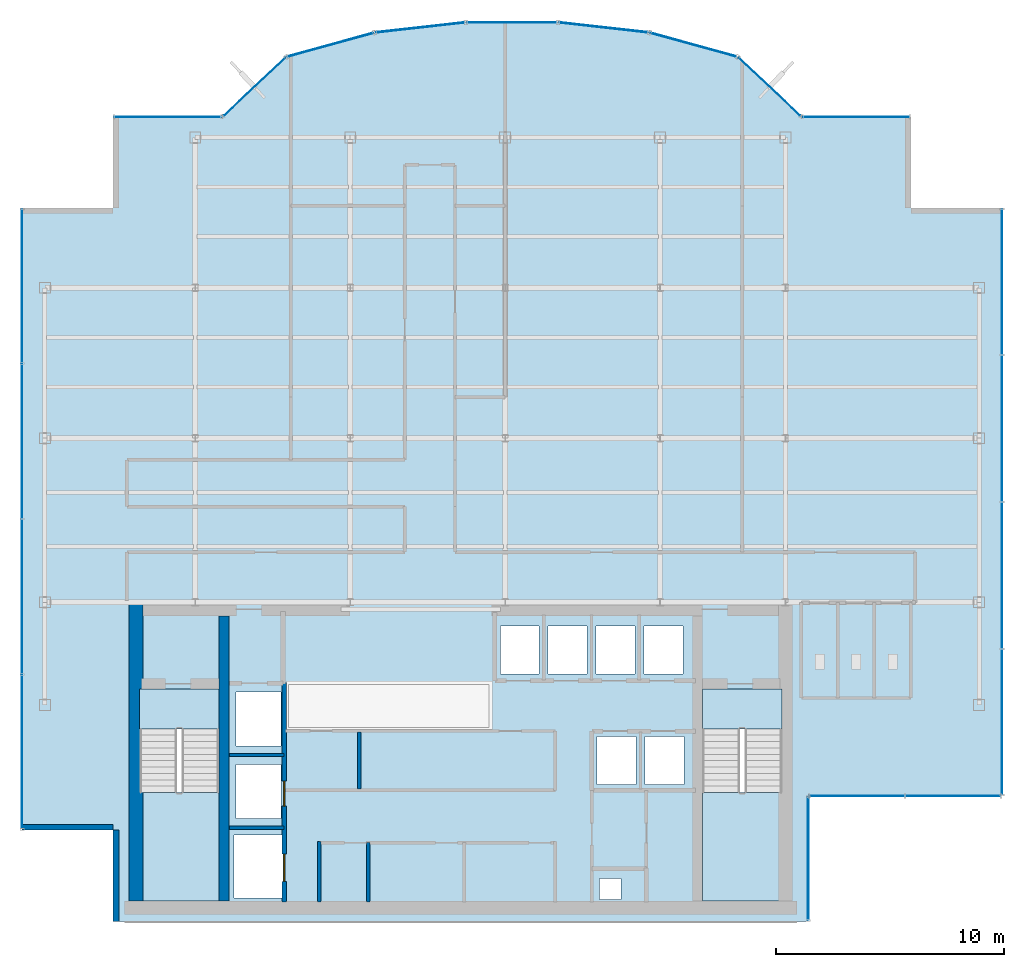
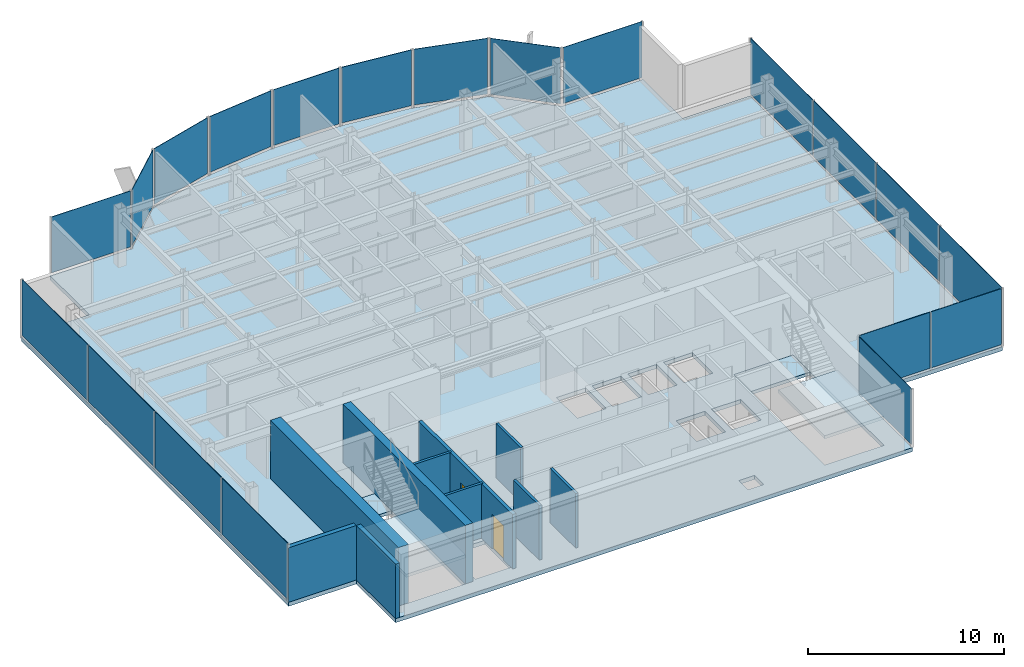
# One storey, part 16 of 22: 20 plates, 10 walls, 5 slabs, 2 doors, 2 openings, 15 elements without a shape of their own.
"""IFC4 building model written with IfcOpenShell, lengths in metres."""

from ifc_helpers import new_model, si_unit, derived_unit, direction, frame, frame_2d, origin, origin_2d, place, context, subcontext, project, spatial, polyline, rectangle, outline, extrude, source, transform, mapped, material, layer, layer_set, type_object, element, fill, aggregate, save


model = new_model("IFC4")

# Units and contexts
model_context = context("Model", 3, precision=1e-05, world=origin(), true_north=direction((0.0, 1.0)))
body_context = subcontext(model_context, "Body", "Model", "MODEL_VIEW")
ifc_project = project(units=[si_unit("LENGTHUNIT", "METRE"), si_unit("AREAUNIT", "SQUARE_METRE"), si_unit("VOLUMEUNIT", "CUBIC_METRE"), si_unit("PLANEANGLEUNIT", "RADIAN"), si_unit("MASSUNIT", "GRAM", prefix="KILO"), derived_unit("THERMALTRANSMITTANCEUNIT", [(si_unit("POWERUNIT", "WATT"), 1), (si_unit("LENGTHUNIT", "METRE"), -2), (si_unit("THERMODYNAMICTEMPERATUREUNIT", "KELVIN"), -1)])], contexts=[model_context])

# Site, building, storey
site_placement = place(None, origin())
site = spatial("IfcSite", under=ifc_project, at=site_placement, CompositionType="ELEMENT")
building_placement = place(site_placement, origin())
building = spatial("IfcBuilding", under=site, at=building_placement, Name="Skarnbrae Concourse Arena and Tower", CompositionType="ELEMENT")
storey_placement = place(building_placement, frame((0.0, 0.0, 206.85009765625)))
storey = spatial("IfcBuildingStorey", under=building, at=storey_placement, Name="L53", CompositionType="ELEMENT", Elevation=206.85009765625)

# Stair, slab
ifc_material_1 = material(Name="Concrete 40 MPa (C40/50)", Category="concrete")
stair_type = type_object("IfcStairType", Name="STAIR-DOGLEG-1650", PredefinedType="HALF_TURN_STAIR", material=ifc_material_1)
stair_1_placement = place(storey_placement, origin())
stair_1 = element("IfcStair", 1, at=stair_1_placement, inside=storey, type_object=stair_type, Name="L53 Protected Exit Stair ST-1", PredefinedType="HALF_TURN_STAIR")
ifc_layer_1 = layer(ifc_material_1, 0.199951171875)
ifc_layer_set_1 = layer_set([ifc_layer_1], Name="Concrete 40 MPa (C40/50)")
slab_type_1 = type_object("IfcSlabType", Name="SLAB-LANDING-200", PredefinedType="LANDING", material=ifc_layer_set_1)
slab_1_placement = place(storey_placement, frame((0.0, 0.0, 1.625)))
slab_1 = element("IfcSlab", 2, at=slab_1_placement, type_object=slab_type_1, Name="ST-1 landing 1", PredefinedType="LANDING", context=body_context, shape_type="SweptSolid", body=[
    extrude(outline(polyline([(5.14990234375, 5.64990234375), (5.14990234375, 0.89990234375), (8.64990234375, 0.89990234375), (8.64990234375, 5.64990234375), (5.14990234375, 5.64990234375)])), origin(), (0.0, 0.0, 1.0), 0.199951171875),
])
aggregate(stair_1, [slab_1])

stair_2_placement = place(storey_placement, origin())
stair_2 = element("IfcStair", 3, at=stair_2_placement, inside=storey, type_object=stair_type, Name="L53 Protected Exit Stair ST-2", PredefinedType="HALF_TURN_STAIR")
slab_2_placement = place(storey_placement, frame((0.0, 0.0, 1.625)))
slab_2 = element("IfcSlab", 4, at=slab_2_placement, type_object=slab_type_1, Name="ST-2 landing 1", PredefinedType="LANDING", context=body_context, shape_type="SweptSolid", body=[
    extrude(outline(polyline([(29.85009765625, 5.64990234375), (29.85009765625, 0.89990234375), (33.35009765625, 0.89990234375), (33.35009765625, 5.64990234375), (29.85009765625, 5.64990234375)])), origin(), (0.0, 0.0, 1.0), 0.199951171875),
])
aggregate(stair_2, [slab_2])

# Slabs
slab_3_placement = place(storey_placement, frame((0.0, 0.0, -0.2001953125)))
element("IfcSlab", 5, at=slab_3_placement, inside=storey, type_object=slab_type_1, Name="L53 Core stair ST1 floor landing", PredefinedType="LANDING", context=body_context, shape_type="SweptSolid", body=[
    extrude(outline(polyline([(5.14990234375, 10.199951171875), (5.14990234375, 8.449951171875), (8.64990234375, 8.449951171875), (8.64990234375, 10.199951171875), (5.14990234375, 10.199951171875)])), origin(), (0.0, 0.0, 1.0), 0.2001953125),
])
slab_4_placement = place(storey_placement, frame((0.0, 0.0, -0.2001953125)))
element("IfcSlab", 6, at=slab_4_placement, inside=storey, type_object=slab_type_1, Name="L53 Core stair ST2 floor landing", PredefinedType="LANDING", context=body_context, shape_type="SweptSolid", body=[
    extrude(outline(polyline([(29.85009765625, 10.199951171875), (29.85009765625, 8.449951171875), (33.35009765625, 8.449951171875), (33.35009765625, 10.199951171875), (29.85009765625, 10.199951171875)])), origin(), (0.0, 0.0, 1.0), 0.2001953125),
])
ifc_layer_2 = layer(ifc_material_1, 0.25)
ifc_layer_set_2 = layer_set([ifc_layer_2], Name="Concrete 40 MPa (C40/50)")
slab_type_2 = type_object("IfcSlabType", Name="SLAB-TOWER-250", PredefinedType="FLOOR", material=ifc_layer_set_2)
slab_5_placement = place(storey_placement, frame((0.0, 0.0, -0.25)))
element("IfcSlab", 7, at=slab_5_placement, inside=storey, type_object=slab_type_2, Name="L53 Structural floor slab", PredefinedType="FLOOR", context=body_context, shape_type="SweptSolid", body=[
    extrude(outline(polyline([(4.0, 0.0), (34.5, 0.0), (34.5, 5.5), (43.0, 5.5), (43.0, 31.300048828125), (39.0, 31.300048828125), (39.0, 35.300048828125), (34.199951171875, 35.300048828125), (31.40966796875, 37.9267578125), (27.52587890625, 38.9970703125), (23.51708984375, 39.44677734375), (19.48291015625, 39.44677734375), (15.47412109375, 38.9970703125), (11.59033203125, 37.9267578125), (8.800048828125, 35.300048828125), (4.0, 35.300048828125), (4.0, 31.300048828125), (0.0, 31.300048828125), (0.0, 4.0), (4.0, 4.0), (4.0, 0.0)]), holes=[polyline([(9.294921875, 1.02001953125), (9.294921875, 3.780029296875), (11.455078125, 3.780029296875), (11.455078125, 1.02001953125), (9.294921875, 1.02001953125)]), polyline([(8.64990234375, 10.199951171875), (8.64990234375, 0.89990234375), (5.14990234375, 0.89990234375), (5.14990234375, 10.199951171875), (8.64990234375, 10.199951171875)]), polyline([(9.39501953125, 6.8798828125), (11.35498046875, 6.8798828125), (11.35498046875, 4.52001953125), (9.39501953125, 4.52001953125), (9.39501953125, 6.8798828125)]), polyline([(9.39501953125, 7.695068359375), (9.39501953125, 10.054931640625), (11.35498046875, 10.054931640625), (11.35498046875, 7.695068359375), (9.39501953125, 7.695068359375)]), polyline([(20.985107421875, 12.955078125), (22.695068359375, 12.955078125), (22.695068359375, 10.844970703125), (20.985107421875, 10.844970703125), (20.985107421875, 12.955078125)]), polyline([(23.0849609375, 12.955078125), (24.794921875, 12.955078125), (24.794921875, 10.844970703125), (23.0849609375, 10.844970703125), (23.0849609375, 12.955078125)]), polyline([(25.35009765625, 0.949951171875), (25.35009765625, 1.889892578125), (26.280029296875, 1.889892578125), (26.280029296875, 0.949951171875), (25.35009765625, 0.949951171875)]), polyline([(33.35009765625, 10.199951171875), (33.35009765625, 0.89990234375), (29.85009765625, 0.89990234375), (29.85009765625, 10.199951171875), (33.35009765625, 10.199951171875)]), polyline([(25.235107421875, 8.10498046875), (26.945068359375, 8.10498046875), (26.945068359375, 5.9951171875), (25.235107421875, 5.9951171875), (25.235107421875, 8.10498046875)]), polyline([(27.3349609375, 5.9951171875), (27.3349609375, 8.10498046875), (29.044921875, 8.10498046875), (29.044921875, 5.9951171875), (27.3349609375, 5.9951171875)]), polyline([(25.18505859375, 12.955078125), (26.89501953125, 12.955078125), (26.89501953125, 10.844970703125), (25.18505859375, 10.844970703125), (25.18505859375, 12.955078125)]), polyline([(27.284912109375, 12.955078125), (28.9951171875, 12.955078125), (28.9951171875, 10.844970703125), (27.284912109375, 10.844970703125), (27.284912109375, 12.955078125)])]), origin(), (0.0, 0.0, 1.0), 0.25),
])

# Curtain wall, plate
ifc_material_2 = material(Name="Bronze anodised aluminium 6063-T6", Category="aluminium")
curtain_wall_type_1 = type_object("IfcCurtainWallType", Name="CW-SYS-05-HIGHZONE", PredefinedType="USERDEFINED", material=ifc_material_2)
curtain_wall_1_placement = place(storey_placement, origin())
curtain_wall_1 = element("IfcCurtainWall", 8, at=curtain_wall_1_placement, inside=storey, type_object=curtain_wall_type_1, Name="L53 Unitised curtain wall CW-L53-E02", ObjectType="UNITISED CURTAIN WALL", PredefinedType="USERDEFINED")
ifc_material_3 = material(Name="Low-E triple insulating glass", Category="glass")
ifc_layer_3 = layer(ifc_material_3, 0.030029296875)
ifc_layer_set_3 = layer_set([ifc_layer_3], Name="Low-E triple insulating glass")
plate_type_1 = type_object("IfcPlateType", Name="CWP-CW-05", PredefinedType="CURTAIN_PANEL", material=ifc_layer_set_3)
shared_shape_1 = source(origin(), body_context, "Body", "SweptSolid", [
    extrude(rectangle(XDim=5.35009765625, YDim=0.030029296875, at=origin_2d()), origin(), (0.0, 0.0, 1.0), 3.5),
])
plate_1_placement = place(storey_placement, frame((34.5, 2.75, 0.14990234375), z_axis=(0.0, 0.0, 1.0), x_axis=(0.0, 1.0, 0.0)))
plate_1 = element("IfcPlate", 9, at=plate_1_placement, type_object=plate_type_1, Name="CW-L53-E02 Low-E Glazing Panel 1", PredefinedType="CURTAIN_PANEL", context=body_context, shape_type="MappedRepresentation", body=[
    mapped(shared_shape_1, transform((0.0, 0.0, 0.0))),
])
aggregate(curtain_wall_1, [plate_1])

# Curtain wall, plates
curtain_wall_2_placement = place(storey_placement, origin())
curtain_wall_2 = element("IfcCurtainWall", 10, at=curtain_wall_2_placement, inside=storey, type_object=curtain_wall_type_1, Name="L53 Unitised curtain wall CW-L53-E03", ObjectType="UNITISED CURTAIN WALL", PredefinedType="USERDEFINED")
shared_shape_2 = source(origin(), body_context, "Body", "SweptSolid", [
    extrude(rectangle(XDim=4.137451171875, YDim=0.030029296875, at=origin_2d()), origin(), (0.0, 0.0, 1.0), 3.5),
])
plate_2_placement = place(storey_placement, frame((36.643798828125, 5.5, 0.14990234375), z_axis=(0.0, 0.0, 1.0), x_axis=(1.0, 0.0, 0.0)))
plate_2 = element("IfcPlate", 11, at=plate_2_placement, type_object=plate_type_1, Name="CW-L53-E03 Low-E Glazing Panel 1", PredefinedType="CURTAIN_PANEL", context=body_context, shape_type="MappedRepresentation", body=[
    mapped(shared_shape_2, transform((0.0, 0.0, 0.0))),
])
plate_3_placement = place(storey_placement, frame((40.856201171875, 5.5, 0.14990234375), z_axis=(0.0, 0.0, 1.0), x_axis=(1.0, 0.0, 0.0)))
plate_3 = element("IfcPlate", 12, at=plate_3_placement, type_object=plate_type_1, Name="CW-L53-E03 Low-E Glazing Panel 2", PredefinedType="CURTAIN_PANEL", context=body_context, shape_type="MappedRepresentation", body=[
    mapped(shared_shape_2, transform((0.0, 0.0, 0.0))),
])
aggregate(curtain_wall_2, [plate_2, plate_3])

# Curtain wall, plate
curtain_wall_3_placement = place(storey_placement, origin())
curtain_wall_3 = element("IfcCurtainWall", 13, at=curtain_wall_3_placement, inside=storey, type_object=curtain_wall_type_1, Name="L53 Unitised curtain wall CW-L53-E07", ObjectType="UNITISED CURTAIN WALL", PredefinedType="USERDEFINED")
shared_shape_3 = source(origin(), body_context, "Body", "SweptSolid", [
    extrude(rectangle(XDim=4.64990234375, YDim=0.030029296875, at=origin_2d()), origin(), (0.0, 0.0, 1.0), 3.5),
])
plate_4_placement = place(storey_placement, frame((36.60009765625, 35.300048828125, 0.14990234375), z_axis=(0.0, 0.0, 1.0), x_axis=(-1.0, 0.0, 0.0)))
plate_4 = element("IfcPlate", 14, at=plate_4_placement, type_object=plate_type_1, Name="CW-L53-E07 Low-E Glazing Panel 1", PredefinedType="CURTAIN_PANEL", context=body_context, shape_type="MappedRepresentation", body=[
    mapped(shared_shape_3, transform((0.0, 0.0, 0.0))),
])
aggregate(curtain_wall_3, [plate_4])

curtain_wall_4_placement = place(storey_placement, origin())
curtain_wall_4 = element("IfcCurtainWall", 15, at=curtain_wall_4_placement, inside=storey, type_object=curtain_wall_type_1, Name="L53 Unitised curtain wall CW-L53-E15", ObjectType="UNITISED CURTAIN WALL", PredefinedType="USERDEFINED")
plate_5_placement = place(storey_placement, frame((6.39990234375, 35.300048828125, 0.14990234375), z_axis=(0.0, 0.0, 1.0), x_axis=(-1.0, 0.0, 0.0)))
plate_5 = element("IfcPlate", 16, at=plate_5_placement, type_object=plate_type_1, Name="CW-L53-E15 Low-E Glazing Panel 1", PredefinedType="CURTAIN_PANEL", context=body_context, shape_type="MappedRepresentation", body=[
    mapped(shared_shape_3, transform((0.0, 0.0, 0.0))),
])
aggregate(curtain_wall_4, [plate_5])

curtain_wall_5_placement = place(storey_placement, origin())
curtain_wall_5 = element("IfcCurtainWall", 17, at=curtain_wall_5_placement, inside=storey, type_object=curtain_wall_type_1, Name="L53 Unitised curtain wall CW-L53-E08", ObjectType="UNITISED CURTAIN WALL", PredefinedType="USERDEFINED")
shared_shape_4 = source(origin(), body_context, "Body", "SweptSolid", [
    extrude(rectangle(XDim=3.68212890625, YDim=0.030029296875, at=origin_2d()), origin(), (0.0, 0.0, 1.0), 3.5),
])
plate_6_placement = place(storey_placement, frame((32.804931640625, 36.61328125, 0.14990234375), z_axis=(0.0, 0.0, 1.0), x_axis=(-0.728130555214, 0.685438468838, 0.0)))
plate_6 = element("IfcPlate", 18, at=plate_6_placement, type_object=plate_type_1, Name="CW-L53-E08 Low-E Glazing Panel 1", PredefinedType="CURTAIN_PANEL", context=body_context, shape_type="MappedRepresentation", body=[
    mapped(shared_shape_4, transform((0.0, 0.0, 0.0))),
])
aggregate(curtain_wall_5, [plate_6])

curtain_wall_6_placement = place(storey_placement, origin())
curtain_wall_6 = element("IfcCurtainWall", 19, at=curtain_wall_6_placement, inside=storey, type_object=curtain_wall_type_1, Name="L53 Unitised curtain wall CW-L53-E14", ObjectType="UNITISED CURTAIN WALL", PredefinedType="USERDEFINED")
plate_7_placement = place(storey_placement, frame((10.195068359375, 36.61328125, 0.14990234375), z_axis=(0.0, 0.0, 1.0), x_axis=(-0.728130555214, -0.685438468838, 0.0)))
plate_7 = element("IfcPlate", 20, at=plate_7_placement, type_object=plate_type_1, Name="CW-L53-E14 Low-E Glazing Panel 1", PredefinedType="CURTAIN_PANEL", context=body_context, shape_type="MappedRepresentation", body=[
    mapped(shared_shape_4, transform((0.0, 0.0, 0.0))),
])
aggregate(curtain_wall_6, [plate_7])

# Curtain wall, plates
curtain_wall_7_placement = place(storey_placement, origin())
curtain_wall_7 = element("IfcCurtainWall", 21, at=curtain_wall_7_placement, inside=storey, type_object=curtain_wall_type_1, Name="L53 Unitised curtain wall CW-L53-E18", ObjectType="UNITISED CURTAIN WALL", PredefinedType="USERDEFINED")
shared_shape_5 = source(origin(), body_context, "Body", "SweptSolid", [
    extrude(rectangle(XDim=6.71240234375, YDim=0.030029296875, at=origin_2d()), origin(), (0.0, 0.0, 1.0), 3.5),
])
plate_8_placement = place(storey_placement, frame((0.0, 27.86865234375, 0.14990234375), z_axis=(0.0, 0.0, 1.0), x_axis=(0.0, -1.0, 0.0)))
plate_8 = element("IfcPlate", 22, at=plate_8_placement, type_object=plate_type_1, Name="CW-L53-E18 Low-E Glazing Panel 1", PredefinedType="CURTAIN_PANEL", context=body_context, shape_type="MappedRepresentation", body=[
    mapped(shared_shape_5, transform((0.0, 0.0, 0.0))),
])
plate_9_placement = place(storey_placement, frame((0.0, 7.431396484375, 0.14990234375), z_axis=(0.0, 0.0, 1.0), x_axis=(0.0, -1.0, 0.0)))
plate_9 = element("IfcPlate", 23, at=plate_9_placement, type_object=plate_type_1, Name="CW-L53-E18 Low-E Glazing Panel 4", PredefinedType="CURTAIN_PANEL", context=body_context, shape_type="MappedRepresentation", body=[
    mapped(shared_shape_5, transform((0.0, 0.0, 0.0))),
])
shared_shape_6 = source(origin(), body_context, "Body", "SweptSolid", [
    extrude(rectangle(XDim=6.75, YDim=0.030029296875, at=origin_2d()), origin(), (0.0, 0.0, 1.0), 3.5),
])
plate_10_placement = place(storey_placement, frame((0.0, 21.0625, 0.14990234375), z_axis=(0.0, 0.0, 1.0), x_axis=(0.0, -1.0, 0.0)))
plate_10 = element("IfcPlate", 24, at=plate_10_placement, type_object=plate_type_1, Name="CW-L53-E18 Low-E Glazing Panel 2", PredefinedType="CURTAIN_PANEL", context=body_context, shape_type="MappedRepresentation", body=[
    mapped(shared_shape_6, transform((0.0, 0.0, 0.0))),
])
plate_11_placement = place(storey_placement, frame((0.0, 14.237548828125, 0.14990234375), z_axis=(0.0, 0.0, 1.0), x_axis=(0.0, -1.0, 0.0)))
plate_11 = element("IfcPlate", 25, at=plate_11_placement, type_object=plate_type_1, Name="CW-L53-E18 Low-E Glazing Panel 3", PredefinedType="CURTAIN_PANEL", context=body_context, shape_type="MappedRepresentation", body=[
    mapped(shared_shape_6, transform((0.0, 0.0, 0.0))),
])
aggregate(curtain_wall_7, [plate_8, plate_10, plate_11, plate_9])

curtain_wall_8_placement = place(storey_placement, origin())
curtain_wall_8 = element("IfcCurtainWall", 26, at=curtain_wall_8_placement, inside=storey, type_object=curtain_wall_type_1, Name="L53 Unitised curtain wall CW-L53-E04", ObjectType="UNITISED CURTAIN WALL", PredefinedType="USERDEFINED")
shared_shape_7 = source(origin(), body_context, "Body", "SweptSolid", [
    extrude(rectangle(XDim=6.33740234375, YDim=0.030029296875, at=origin_2d()), origin(), (0.0, 0.0, 1.0), 3.5),
])
plate_12_placement = place(storey_placement, frame((43.0, 8.743896484375, 0.14990234375), z_axis=(0.0, 0.0, 1.0), x_axis=(0.0, 1.0, 0.0)))
plate_12 = element("IfcPlate", 27, at=plate_12_placement, type_object=plate_type_1, Name="CW-L53-E04 Low-E Glazing Panel 1", PredefinedType="CURTAIN_PANEL", context=body_context, shape_type="MappedRepresentation", body=[
    mapped(shared_shape_7, transform((0.0, 0.0, 0.0))),
])
plate_13_placement = place(storey_placement, frame((43.0, 28.05615234375, 0.14990234375), z_axis=(0.0, 0.0, 1.0), x_axis=(0.0, 1.0, 0.0)))
plate_13 = element("IfcPlate", 28, at=plate_13_placement, type_object=plate_type_1, Name="CW-L53-E04 Low-E Glazing Panel 4", PredefinedType="CURTAIN_PANEL", context=body_context, shape_type="MappedRepresentation", body=[
    mapped(shared_shape_7, transform((0.0, 0.0, 0.0))),
])
shared_shape_8 = source(origin(), body_context, "Body", "SweptSolid", [
    extrude(rectangle(XDim=6.375, YDim=0.030029296875, at=origin_2d()), origin(), (0.0, 0.0, 1.0), 3.5),
])
plate_14_placement = place(storey_placement, frame((43.0, 15.175048828125, 0.14990234375), z_axis=(0.0, 0.0, 1.0), x_axis=(0.0, 1.0, 0.0)))
plate_14 = element("IfcPlate", 29, at=plate_14_placement, type_object=plate_type_1, Name="CW-L53-E04 Low-E Glazing Panel 2", PredefinedType="CURTAIN_PANEL", context=body_context, shape_type="MappedRepresentation", body=[
    mapped(shared_shape_8, transform((0.0, 0.0, 0.0))),
])
plate_15_placement = place(storey_placement, frame((43.0, 21.625, 0.14990234375), z_axis=(0.0, 0.0, 1.0), x_axis=(0.0, 1.0, 0.0)))
plate_15 = element("IfcPlate", 30, at=plate_15_placement, type_object=plate_type_1, Name="CW-L53-E04 Low-E Glazing Panel 3", PredefinedType="CURTAIN_PANEL", context=body_context, shape_type="MappedRepresentation", body=[
    mapped(shared_shape_8, transform((0.0, 0.0, 0.0))),
])
aggregate(curtain_wall_8, [plate_12, plate_14, plate_15, plate_13])

# Curtain wall, plate
curtain_wall_type_2 = type_object("IfcCurtainWallType", Name="CW-SYS-03-PORTAL", PredefinedType="USERDEFINED", material=ifc_material_2)
curtain_wall_9_placement = place(storey_placement, origin())
curtain_wall_9 = element("IfcCurtainWall", 31, at=curtain_wall_9_placement, inside=storey, type_object=curtain_wall_type_2, Name="L53 Unitised curtain wall CW-L53-E09", ObjectType="UNITISED CURTAIN WALL", PredefinedType="USERDEFINED")
ifc_layer_4 = layer(ifc_material_3, 0.033935546875)
ifc_layer_set_4 = layer_set([ifc_layer_4], Name="Low-E triple insulating glass")
plate_type_2 = type_object("IfcPlateType", Name="CWP-CW-03", PredefinedType="CURTAIN_PANEL", material=ifc_layer_set_4)
shared_shape_9 = source(origin(), body_context, "Body", "SweptSolid", [
    extrude(rectangle(XDim=3.86865234375, YDim=0.033935546875, at=origin_2d()), origin(), (0.0, 0.0, 1.0), 3.47998046875),
])
plate_16_placement = place(storey_placement, frame((29.4677734375, 38.4619140625, 0.169921875), z_axis=(0.0, 0.0, 1.0), x_axis=(-0.964057388766, 0.265694093207, 0.0)))
plate_16 = element("IfcPlate", 32, at=plate_16_placement, type_object=plate_type_2, Name="CW-L53-E09 Low-E Glazing Panel 1", PredefinedType="CURTAIN_PANEL", context=body_context, shape_type="MappedRepresentation", body=[
    mapped(shared_shape_9, transform((0.0, 0.0, 0.0))),
])
aggregate(curtain_wall_9, [plate_16])

curtain_wall_10_placement = place(storey_placement, origin())
curtain_wall_10 = element("IfcCurtainWall", 33, at=curtain_wall_10_placement, inside=storey, type_object=curtain_wall_type_2, Name="L53 Unitised curtain wall CW-L53-E13", ObjectType="UNITISED CURTAIN WALL", PredefinedType="USERDEFINED")
plate_17_placement = place(storey_placement, frame((13.5322265625, 38.4619140625, 0.169921875), z_axis=(0.0, 0.0, 1.0), x_axis=(-0.964057388766, -0.265694093207, 0.0)))
plate_17 = element("IfcPlate", 34, at=plate_17_placement, type_object=plate_type_2, Name="CW-L53-E13 Low-E Glazing Panel 1", PredefinedType="CURTAIN_PANEL", context=body_context, shape_type="MappedRepresentation", body=[
    mapped(shared_shape_9, transform((0.0, 0.0, 0.0))),
])
aggregate(curtain_wall_10, [plate_17])

curtain_wall_11_placement = place(storey_placement, origin())
curtain_wall_11 = element("IfcCurtainWall", 35, at=curtain_wall_11_placement, inside=storey, type_object=curtain_wall_type_2, Name="L53 Unitised curtain wall CW-L53-E10", ObjectType="UNITISED CURTAIN WALL", PredefinedType="USERDEFINED")
shared_shape_10 = source(origin(), body_context, "Body", "SweptSolid", [
    extrude(rectangle(XDim=3.873779296875, YDim=0.033935546875, at=origin_2d()), origin(), (0.0, 0.0, 1.0), 3.47998046875),
])
plate_18_placement = place(storey_placement, frame((25.521484375, 39.221923828125, 0.169921875), z_axis=(0.0, 0.0, 1.0), x_axis=(-0.993768891873, 0.111460259941, 0.0)))
plate_18 = element("IfcPlate", 36, at=plate_18_placement, type_object=plate_type_2, Name="CW-L53-E10 Low-E Glazing Panel 1", PredefinedType="CURTAIN_PANEL", context=body_context, shape_type="MappedRepresentation", body=[
    mapped(shared_shape_10, transform((0.0, 0.0, 0.0))),
])
aggregate(curtain_wall_11, [plate_18])

curtain_wall_12_placement = place(storey_placement, origin())
curtain_wall_12 = element("IfcCurtainWall", 37, at=curtain_wall_12_placement, inside=storey, type_object=curtain_wall_type_2, Name="L53 Unitised curtain wall CW-L53-E12", ObjectType="UNITISED CURTAIN WALL", PredefinedType="USERDEFINED")
plate_19_placement = place(storey_placement, frame((17.478515625, 39.221923828125, 0.169921875), z_axis=(0.0, 0.0, 1.0), x_axis=(-0.993768891873, -0.111460259941, 0.0)))
plate_19 = element("IfcPlate", 38, at=plate_19_placement, type_object=plate_type_2, Name="CW-L53-E12 Low-E Glazing Panel 1", PredefinedType="CURTAIN_PANEL", context=body_context, shape_type="MappedRepresentation", body=[
    mapped(shared_shape_10, transform((0.0, 0.0, 0.0))),
])
aggregate(curtain_wall_12, [plate_19])

curtain_wall_13_placement = place(storey_placement, origin())
curtain_wall_13 = element("IfcCurtainWall", 39, at=curtain_wall_13_placement, inside=storey, type_object=curtain_wall_type_2, Name="L53 Unitised curtain wall CW-L53-E11", ObjectType="UNITISED CURTAIN WALL", PredefinedType="USERDEFINED")
shared_shape_11 = source(origin(), body_context, "Body", "SweptSolid", [
    extrude(rectangle(XDim=3.87451171875, YDim=0.033935546875, at=origin_2d()), origin(), (0.0, 0.0, 1.0), 3.47998046875),
])
plate_20_placement = place(storey_placement, frame((21.5, 39.44677734375, 0.169921875), z_axis=(0.0, 0.0, 1.0), x_axis=(-1.0, 0.0, 0.0)))
plate_20 = element("IfcPlate", 40, at=plate_20_placement, type_object=plate_type_2, Name="CW-L53-E11 Low-E Glazing Panel 1", PredefinedType="CURTAIN_PANEL", context=body_context, shape_type="MappedRepresentation", body=[
    mapped(shared_shape_11, transform((0.0, 0.0, 0.0))),
])
aggregate(curtain_wall_13, [plate_20])

# Walls
ifc_material_4 = material(Name="Concrete 50 MPa (C50/60)", Category="concrete")
ifc_layer_5 = layer(ifc_material_4, 0.60009765625)
ifc_layer_set_5 = layer_set([ifc_layer_5], Name="Concrete 50 MPa (C50/60)")
wall_type_1 = type_object("IfcWallType", Name="WALL-CORE-600-C50", PredefinedType="SHEAR", material=ifc_layer_set_5)
shared_shape_12 = source(origin(), body_context, "Body", "SweptSolid", [
    extrude(rectangle(XDim=13.10009765625, YDim=0.60009765625, at=frame_2d((6.550048828125, 0.0))), origin(), (0.0, 0.0, 1.0), 3.64990234375),
])
wall_1_placement = place(storey_placement, frame((5.0, 0.89990234375, 0.0), z_axis=(0.0, 0.0, 1.0), x_axis=(0.0, 1.0, 0.0)))
element("IfcWall", 41, at=wall_1_placement, inside=storey, type_object=wall_type_1, Name="L53 Rear core shear wall CW-W", PredefinedType="SHEAR", context=body_context, shape_type="MappedRepresentation", body=[
    mapped(shared_shape_12, transform((0.0, 0.0, 0.0))),
])
ifc_layer_6 = layer(ifc_material_4, 0.449951171875)
ifc_layer_set_6 = layer_set([ifc_layer_6], Name="Concrete 50 MPa (C50/60)")
wall_type_2 = type_object("IfcWallType", Name="WALL-CORE-450-C50", PredefinedType="SHEAR", material=ifc_layer_set_6)
shared_shape_13 = source(origin(), body_context, "Body", "SweptSolid", [
    extrude(rectangle(XDim=12.5, YDim=0.449951171875, at=frame_2d((6.25, 0.0))), origin(), (0.0, 0.0, 1.0), 3.64990234375),
])
wall_2_placement = place(storey_placement, frame((8.864990234375, 0.89990234375, 0.0), z_axis=(0.0, 0.0, 1.0), x_axis=(0.0, 1.0, 0.0)))
element("IfcWall", 42, at=wall_2_placement, inside=storey, type_object=wall_type_2, Name="L53 Rear core shear wall CW-WEB-W", PredefinedType="SHEAR", context=body_context, shape_type="MappedRepresentation", body=[
    mapped(shared_shape_13, transform((0.0, 0.0, 0.0))),
])
ifc_material_5 = material(Name="Precast concrete 40 MPa (C40/50)", Category="concrete")
ifc_layer_7 = layer(ifc_material_5, 0.25)
ifc_layer_set_7 = layer_set([ifc_layer_7], Name="Precast concrete 40 MPa (C40/50)")
wall_type_3 = type_object("IfcWallType", Name="WALL-EXT-SPANDREL-250", PredefinedType="STANDARD", material=ifc_layer_set_7)
shared_shape_14 = source(origin(), body_context, "Body", "SweptSolid", [
    extrude(rectangle(XDim=4.0, YDim=0.25, at=frame_2d((2.0, 0.0))), origin(), (0.0, 0.0, 1.0), 3.39990234375),
])
for number, where, z_axis, x_axis, name in (
    (43, (0.0, 4.125, 0.0), (0.0, 0.0, 1.0), (1.0, 0.0, 0.0), "L53 Notched corner insulated return wall 19"),
    (44, (4.125, 4.0, 0.0), (0.0, 0.0, 1.0), (0.0, -1.0, 0.0), "L53 Notched corner insulated return wall 20"),
):
    element("IfcWall", number, at=place(storey_placement, frame(where, z_axis=z_axis, x_axis=x_axis)), inside=storey, type_object=wall_type_3, Name=name, PredefinedType="STANDARD", context=body_context, shape_type="MappedRepresentation", body=[
        mapped(shared_shape_14, transform((0.0, 0.0, 0.0))),
    ])

# Wall, openings, doors
ifc_material_6 = material(Name="Gypsum board on cold-formed steel studs", Category="steel")
ifc_layer_8 = layer(ifc_material_6, 0.199951171875)
ifc_layer_set_8 = layer_set([ifc_layer_8], Name="Gypsum board on cold-formed steel studs")
wall_type_4 = type_object("IfcWallType", Name="WALL-PART-200-2HR", PredefinedType="PARTITIONING", material=ifc_layer_set_8)
shared_shape_15 = source(origin(), body_context, "Body", "SweptSolid", [
    extrude(rectangle(XDim=9.599853515625, YDim=0.199951171875, at=frame_2d((4.7998046875, 0.0))), origin(), (0.0, 0.0, 1.0), 3.39990234375),
])
wall_3_placement = place(storey_placement, frame((11.5, 0.85009765625, 0.0), z_axis=(0.0, 0.0, 1.0), x_axis=(0.0, 1.0, 0.0)))
wall_3 = element("IfcWall", 45, at=wall_3_placement, inside=storey, type_object=wall_type_4, Name="L53 Interior partition wall W-L53-FL-E", PredefinedType="PARTITIONING", context=body_context, shape_type="MappedRepresentation", body=[
    mapped(shared_shape_15, transform((0.0, 0.0, 0.0))),
])
opening_1_placement = place(wall_3_placement, frame((4.199951171875, 0.0, 0.0)))
opening_1 = element("IfcOpeningElement", 46, at=opening_1_placement, cuts=wall_3, Name="Opening LD-01", PredefinedType="OPENING", context=body_context, shape_type="SweptSolid", body=[
    extrude(rectangle(XDim=1.10009765625, YDim=2.14990234375, at=frame_2d((0.550048828125, 1.074951171875))), frame((0.0, 0.10986328125, 0.0), z_axis=(0.0, -1.0, 0.0), x_axis=(1.0, 0.0, 0.0)), (0.0, 0.0, 1.0), 0.219970703125),
])
opening_2_placement = place(wall_3_placement, frame((0.89990234375, 0.0, 0.0)))
opening_2 = element("IfcOpeningElement", 47, at=opening_2_placement, cuts=wall_3, Name="Opening LD-02", PredefinedType="OPENING", context=body_context, shape_type="SweptSolid", body=[
    extrude(rectangle(XDim=1.199951171875, YDim=2.14990234375, at=frame_2d((0.60009765625, 1.074951171875))), frame((0.0, 0.10986328125, 0.0), z_axis=(0.0, -1.0, 0.0), x_axis=(1.0, 0.0, 0.0)), (0.0, 0.0, 1.0), 0.219970703125),
])
ifc_material_7 = material(Name="Steel CSA G40.21 350W", Category="steel")
door_type_1 = type_object("IfcDoorType", Name="DOOR-LIFT-SLIDE-1100", OperationType="SLIDING_TO_LEFT", PredefinedType="DOOR", material=ifc_material_7)
shared_shape_16 = source(origin(), body_context, "Body", "SweptSolid", [
    extrude(rectangle(XDim=1.10009765625, YDim=2.14990234375, at=frame_2d((0.550048828125, 1.074951171875))), frame((0.0, 0.02490234375, 0.0), z_axis=(0.0, -1.0, 0.0), x_axis=(1.0, 0.0, 0.0)), (0.0, 0.0, 1.0), 0.050048828125),
])
door_1_placement = place(opening_1_placement, frame((1.10009765625, 0.0, 0.0), z_axis=(0.0, 0.0, 1.0), x_axis=(-1.0, 0.0, 0.0)))
door_1 = element("IfcDoor", 48, at=door_1_placement, inside=storey, type_object=door_type_1, Name="D-1618 Firefighting Lift Landing Door FL-02", OperationType="SLIDING_TO_LEFT", OverallHeight=2.14990234375, OverallWidth=1.10009765625, PredefinedType="DOOR", context=body_context, shape_type="MappedRepresentation", body=[
    mapped(shared_shape_16, transform((0.0, 0.0, 0.0))),
])
fill(opening_1, door_1)
door_type_2 = type_object("IfcDoorType", Name="DOOR-LIFT-SLIDE-1200", OperationType="SLIDING_TO_LEFT", PredefinedType="DOOR", material=ifc_material_7)
shared_shape_17 = source(origin(), body_context, "Body", "SweptSolid", [
    extrude(rectangle(XDim=1.199951171875, YDim=2.14990234375, at=frame_2d((0.60009765625, 1.074951171875))), frame((0.0, 0.02490234375, 0.0), z_axis=(0.0, -1.0, 0.0), x_axis=(1.0, 0.0, 0.0)), (0.0, 0.0, 1.0), 0.050048828125),
])
door_2_placement = place(opening_2_placement, frame((1.199951171875, 0.0, 0.0), z_axis=(0.0, 0.0, 1.0), x_axis=(-1.0, 0.0, 0.0)))
door_2 = element("IfcDoor", 49, at=door_2_placement, inside=storey, type_object=door_type_2, Name="D-1619 Service Lift Landing Door SV-01", OperationType="SLIDING_TO_LEFT", OverallHeight=2.14990234375, OverallWidth=1.199951171875, PredefinedType="DOOR", context=body_context, shape_type="MappedRepresentation", body=[
    mapped(shared_shape_17, transform((0.0, 0.0, 0.0))),
])
fill(opening_2, door_2)

# Walls
ifc_layer_9 = layer(ifc_material_6, 0.14990234375)
ifc_layer_set_9 = layer_set([ifc_layer_9], Name="Gypsum board on cold-formed steel studs")
wall_type_5 = type_object("IfcWallType", Name="WALL-PART-150", PredefinedType="PARTITIONING", material=ifc_layer_set_9)
shared_shape_18 = source(origin(), body_context, "Body", "SweptSolid", [
    extrude(rectangle(XDim=2.39990234375, YDim=0.14990234375, at=frame_2d((1.199951171875, 0.0))), origin(), (0.0, 0.0, 1.0), 3.39990234375),
])
for number, where, z_axis, x_axis, name in (
    (50, (9.10009765625, 4.10009765625, 0.0), (0.0, 0.0, 1.0), (1.0, 0.0, 0.0), "L53 Interior partition wall W-L53-FL-D1"),
    (51, (9.10009765625, 7.300048828125, 0.0), (0.0, 0.0, 1.0), (1.0, 0.0, 0.0), "L53 Interior partition wall W-L53-FL-D2"),
):
    element("IfcWall", number, at=place(storey_placement, frame(where, z_axis=z_axis, x_axis=x_axis)), inside=storey, type_object=wall_type_5, Name=name, PredefinedType="PARTITIONING", context=body_context, shape_type="MappedRepresentation", body=[
        mapped(shared_shape_18, transform((0.0, 0.0, 0.0))),
    ])
shared_shape_19 = source(origin(), body_context, "Body", "SweptSolid", [
    extrude(rectangle(XDim=2.599853515625, YDim=0.14990234375, at=frame_2d((1.2998046875, 0.0))), origin(), (0.0, 0.0, 1.0), 3.39990234375),
])
wall_4_placement = place(storey_placement, frame((15.199951171875, 0.85009765625, 0.0), z_axis=(0.0, 0.0, 1.0), x_axis=(0.0, 1.0, 0.0)))
element("IfcWall", 52, at=wall_4_placement, inside=storey, type_object=wall_type_5, Name="L53 Interior partition wall W-L53-B1M-C1", PredefinedType="PARTITIONING", context=body_context, shape_type="MappedRepresentation", body=[
    mapped(shared_shape_19, transform((0.0, 0.0, 0.0))),
])
shared_shape_20 = source(origin(), body_context, "Body", "SweptSolid", [
    extrude(rectangle(XDim=2.5, YDim=0.14990234375, at=frame_2d((1.25, 0.0))), origin(), (0.0, 0.0, 1.0), 3.39990234375),
])
wall_5_placement = place(storey_placement, frame((14.800048828125, 5.800048828125, 0.0), z_axis=(0.0, 0.0, 1.0), x_axis=(0.0, 1.0, 0.0)))
element("IfcWall", 53, at=wall_5_placement, inside=storey, type_object=wall_type_5, Name="L53 Interior partition wall W-L53-B2M-MID", PredefinedType="PARTITIONING", context=body_context, shape_type="MappedRepresentation", body=[
    mapped(shared_shape_20, transform((0.0, 0.0, 0.0))),
])
ifc_layer_10 = layer(ifc_material_6, 0.14990234375)
ifc_layer_set_10 = layer_set([ifc_layer_10], Name="Gypsum board on cold-formed steel studs")
wall_type_6 = type_object("IfcWallType", Name="WALL-PART-150-1HR", PredefinedType="PARTITIONING", material=ifc_layer_set_10)
shared_shape_21 = source(origin(), body_context, "Body", "SweptSolid", [
    extrude(rectangle(XDim=2.64990234375, YDim=0.14990234375, at=frame_2d((1.324951171875, 0.0))), origin(), (0.0, 0.0, 1.0), 3.39990234375),
])
wall_6_placement = place(storey_placement, frame((13.050048828125, 0.85009765625, 0.0), z_axis=(0.0, 0.0, 1.0), x_axis=(0.0, 1.0, 0.0)))
element("IfcWall", 54, at=wall_6_placement, inside=storey, type_object=wall_type_6, Name="L53 Interior partition wall W-L53-B1M-W", PredefinedType="PARTITIONING", context=body_context, shape_type="MappedRepresentation", body=[
    mapped(shared_shape_21, transform((0.0, 0.0, 0.0))),
])

save(model, "model.ifc")
